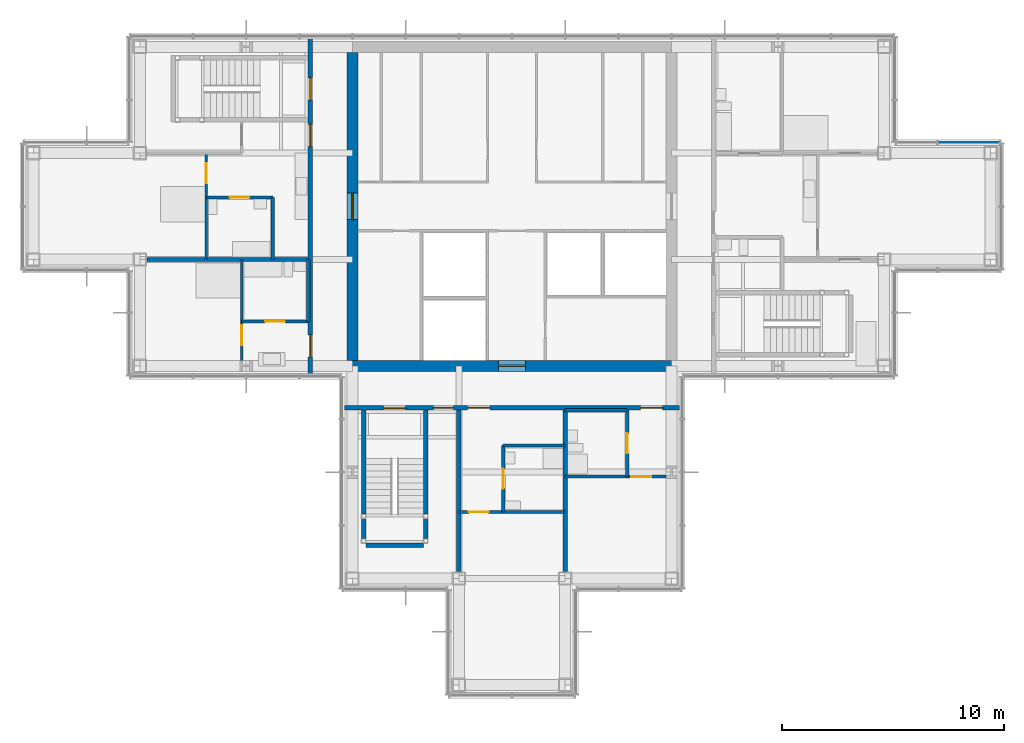
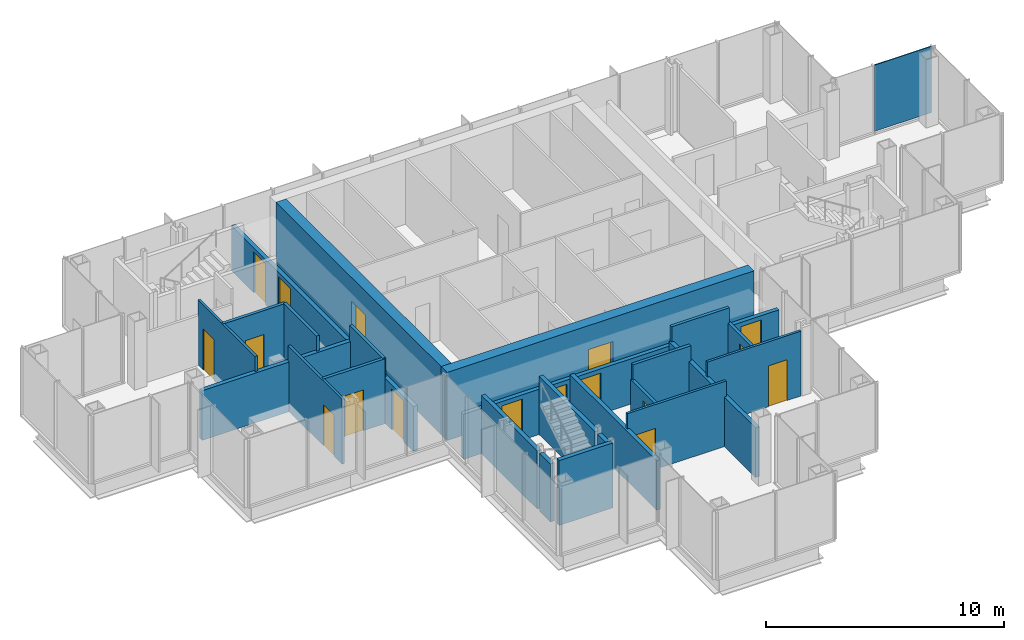
# One storey, part 10 of 15: 24 walls, 17 doors, 1 plate, 17 openings, 1 element without a shape of its own.
"""IFC4 building model written with IfcOpenShell, lengths in metres."""

from ifc_helpers import new_model, si_unit, direction, frame, frame_2d, origin, origin_2d, place, context, subcontext, project, spatial, rectangle, extrude, material, layer, layer_set, type_object, element, fill, aggregate, save


model = new_model("IFC4")

# Units and contexts
model_context = context("Model", 3, precision=1e-05, world=origin(), true_north=direction((0.0, 1.0)))
body_context = subcontext(model_context, "Body", "Model", "MODEL_VIEW")
ifc_project = project(units=[si_unit("LENGTHUNIT", "METRE"), si_unit("AREAUNIT", "SQUARE_METRE"), si_unit("VOLUMEUNIT", "CUBIC_METRE"), si_unit("PLANEANGLEUNIT", "RADIAN"), si_unit("MASSUNIT", "GRAM", prefix="KILO")], contexts=[model_context])

# Site, building, storey
site_placement = place(None, origin())
site = spatial("IfcSite", under=ifc_project, at=site_placement, CompositionType="ELEMENT")
building_placement = place(site_placement, origin())
building = spatial("IfcBuilding", under=site, at=building_placement, Name="Kvirike Care Tower", CompositionType="ELEMENT")
storey_placement = place(building_placement, frame((0.0, 0.0, 205.0)))
storey = spatial("IfcBuildingStorey", under=building, at=storey_placement, Name="L56", CompositionType="ELEMENT", Elevation=205.0)

# Curtain wall, plate
ifc_material_1 = material(Name="Anodised aluminium stick system", Category="aluminium")
curtain_wall_type = type_object("IfcCurtainWallType", Name="CW-D STICK CURTAIN WALL", PredefinedType="NOTDEFINED", material=ifc_material_1)
curtain_wall_placement = place(storey_placement, origin())
curtain_wall = element("IfcCurtainWall", 1, at=curtain_wall_placement, inside=storey, type_object=curtain_wall_type, Name="Curtain wall L56 face 5", PredefinedType="NOTDEFINED")
ifc_material_2 = material(Name="Tinted double glazed unit", Category="glass")
ifc_layer_1 = layer(ifc_material_2, 0.0439453125)
ifc_layer_set_1 = layer_set([ifc_layer_1], Name="TINTED VISION PANEL 44")
plate_type = type_object("IfcPlateType", Name="TINTED VISION PANEL 44", PredefinedType="CURTAIN_PANEL", material=ifc_layer_set_1)
plate_placement = place(storey_placement, frame((42.2236328125, 38.8798828125, 0.10009765625), z_axis=(0.0, 0.0, 1.0), x_axis=(-1.0, 0.0, 0.0)))
plate = element("IfcPlate", 2, at=plate_placement, type_object=plate_type, Name="CW-D panel L56 face 5.1", PredefinedType="CURTAIN_PANEL", context=body_context, shape_type="SweptSolid", body=[
    extrude(rectangle(XDim=2.782470703125, YDim=0.0439453125, at=origin_2d()), origin(), (0.0, 0.0, 1.0), 3.39990234375),
])
aggregate(curtain_wall, [plate])

# Wall, opening, door
ifc_material_3 = material(Name="Moisture-resistant board partition", Category="gypsum")
ifc_layer_2 = layer(ifc_material_3, 0.14990234375)
ifc_layer_set_2 = layer_set([ifc_layer_2], Name="BATHROOM WALL 150")
wall_type_1 = type_object("IfcWallType", Name="BATHROOM WALL 150", PredefinedType="PARTITIONING", material=ifc_layer_set_2)
wall_1_placement = place(storey_placement, frame((7.800048828125, 36.39990234375, 0.0), z_axis=(0.0, 0.0, 1.0), x_axis=(1.0, 0.0, 0.0)))
wall_1 = element("IfcWall", 3, at=wall_1_placement, inside=storey, type_object=wall_type_1, Name="Bathroom Wall 150 L56", PredefinedType="PARTITIONING", context=body_context, shape_type="SweptSolid", body=[
    extrude(rectangle(XDim=3.0, YDim=0.14990234375, at=frame_2d((1.5, 0.0))), origin(), (0.0, 0.0, 1.0), 3.330078125),
])
opening_1_placement = place(wall_1_placement, frame((1.050048828125, 0.0, 0.0)))
opening_1 = element("IfcOpeningElement", 4, at=opening_1_placement, cuts=wall_1, Name="Opening 56-001", PredefinedType="OPENING", context=body_context, shape_type="SweptSolid", body=[
    extrude(rectangle(XDim=0.89990234375, YDim=2.10009765625, at=frame_2d((0.449951171875, 1.050048828125))), frame((0.0, 0.08544921875, 0.0), z_axis=(0.0, -1.0, 0.0), x_axis=(1.0, 0.0, 0.0)), (0.0, 0.0, 1.0), 0.1708984375),
])
ifc_material_4 = material(Name="Timber door set", Category="wood")
door_type_1 = type_object("IfcDoorType", Name="BATHROOM DOOR 900", OperationType="SINGLE_SWING_RIGHT", PredefinedType="DOOR", material=ifc_material_4)
door_1_placement = place(opening_1_placement, frame((0.89990234375, 0.0, 0.0), z_axis=(0.0, 0.0, 1.0), x_axis=(-1.0, 0.0, 0.0)))
door_1 = element("IfcDoor", 5, at=door_1_placement, inside=storey, type_object=door_type_1, Name="Bathroom door", OperationType="SINGLE_SWING_RIGHT", OverallHeight=2.10009765625, OverallWidth=0.89990234375, PredefinedType="DOOR", context=body_context, shape_type="SweptSolid", body=[
    extrude(rectangle(XDim=0.89990234375, YDim=2.10009765625, at=frame_2d((0.449951171875, 1.050048828125))), frame((0.0, 0.02197265625, 0.0), z_axis=(0.0, -1.0, 0.0), x_axis=(1.0, 0.0, 0.0)), (0.0, 0.0, 1.0), 0.0439453125),
])
fill(opening_1, door_1)

# Wall
wall_2_placement = place(storey_placement, frame((10.800048828125, 36.39990234375, 0.0), z_axis=(0.0, 0.0, 1.0), x_axis=(0.0, -1.0, 0.0)))
element("IfcWall", 6, at=wall_2_placement, inside=storey, type_object=wall_type_1, Name="Bathroom Wall 150 L56", PredefinedType="PARTITIONING", context=body_context, shape_type="SweptSolid", body=[
    extrude(rectangle(XDim=2.7998046875, YDim=0.14990234375, at=frame_2d((1.39990234375, 0.0))), origin(), (0.0, 0.0, 1.0), 3.330078125),
])

# Wall, opening, door
wall_3_placement = place(storey_placement, frame((9.39990234375, 30.800048828125, 0.0), z_axis=(0.0, 0.0, 1.0), x_axis=(1.0, 0.0, 0.0)))
wall_3 = element("IfcWall", 7, at=wall_3_placement, inside=storey, type_object=wall_type_1, Name="Bathroom Wall 150 L56", PredefinedType="PARTITIONING", context=body_context, shape_type="SweptSolid", body=[
    extrude(rectangle(XDim=3.0, YDim=0.14990234375, at=frame_2d((1.5, 0.0))), origin(), (0.0, 0.0, 1.0), 3.330078125),
])
opening_2_placement = place(wall_3_placement, frame((1.050048828125, 0.0, 0.0)))
opening_2 = element("IfcOpeningElement", 8, at=opening_2_placement, cuts=wall_3, Name="Opening 56-004", PredefinedType="OPENING", context=body_context, shape_type="SweptSolid", body=[
    extrude(rectangle(XDim=0.89990234375, YDim=2.10009765625, at=frame_2d((0.449951171875, 1.050048828125))), frame((0.0, 0.08544921875, 0.0), z_axis=(0.0, -1.0, 0.0), x_axis=(1.0, 0.0, 0.0)), (0.0, 0.0, 1.0), 0.1708984375),
])
door_2_placement = place(opening_2_placement, frame((0.89990234375, 0.0, 0.0), z_axis=(0.0, 0.0, 1.0), x_axis=(-1.0, 0.0, 0.0)))
door_2 = element("IfcDoor", 9, at=door_2_placement, inside=storey, type_object=door_type_1, Name="Bathroom door", OperationType="SINGLE_SWING_RIGHT", OverallHeight=2.10009765625, OverallWidth=0.89990234375, PredefinedType="DOOR", context=body_context, shape_type="SweptSolid", body=[
    extrude(rectangle(XDim=0.89990234375, YDim=2.10009765625, at=frame_2d((0.449951171875, 1.050048828125))), frame((0.0, 0.02197265625, 0.0), z_axis=(0.0, -1.0, 0.0), x_axis=(1.0, 0.0, 0.0)), (0.0, 0.0, 1.0), 0.0439453125),
])
fill(opening_2, door_2)

# Wall
wall_4_placement = place(storey_placement, frame((12.39990234375, 33.60009765625, 0.0), z_axis=(0.0, 0.0, 1.0), x_axis=(0.0, -1.0, 0.0)))
element("IfcWall", 10, at=wall_4_placement, inside=storey, type_object=wall_type_1, Name="Bathroom Wall 150 L56", PredefinedType="PARTITIONING", context=body_context, shape_type="SweptSolid", body=[
    extrude(rectangle(XDim=2.800048828125, YDim=0.14990234375, at=frame_2d((1.39990234375, 0.0))), origin(), (0.0, 0.0, 1.0), 3.330078125),
])

# Wall, opening, door
wall_5_placement = place(storey_placement, frame((21.199951171875, 22.199951171875, 0.0), z_axis=(0.0, 0.0, 1.0), x_axis=(0.0, 1.0, 0.0)))
wall_5 = element("IfcWall", 11, at=wall_5_placement, inside=storey, type_object=wall_type_1, Name="Bathroom Wall 150 L56", PredefinedType="PARTITIONING", context=body_context, shape_type="SweptSolid", body=[
    extrude(rectangle(XDim=3.0, YDim=0.14990234375, at=frame_2d((1.5, 0.0))), origin(), (0.0, 0.0, 1.0), 2.550048828125),
])
opening_3_placement = place(wall_5_placement, frame((1.050048828125, 0.0, 0.0)))
opening_3 = element("IfcOpeningElement", 12, at=opening_3_placement, cuts=wall_5, Name="Opening 56-009", PredefinedType="OPENING", context=body_context, shape_type="SweptSolid", body=[
    extrude(rectangle(XDim=0.89990234375, YDim=2.10009765625, at=frame_2d((0.449951171875, 1.050048828125))), frame((0.0, 0.08544921875, 0.0), z_axis=(0.0, -1.0, 0.0), x_axis=(1.0, 0.0, 0.0)), (0.0, 0.0, 1.0), 0.1708984375),
])
door_3_placement = place(opening_3_placement, frame((0.89990234375, 0.0, 0.0), z_axis=(0.0, 0.0, 1.0), x_axis=(-1.0, 0.0, 0.0)))
door_3 = element("IfcDoor", 13, at=door_3_placement, inside=storey, type_object=door_type_1, Name="Shower room door", OperationType="SINGLE_SWING_LEFT", OverallHeight=2.10009765625, OverallWidth=0.89990234375, PredefinedType="DOOR", context=body_context, shape_type="SweptSolid", body=[
    extrude(rectangle(XDim=0.89990234375, YDim=2.10009765625, at=frame_2d((0.449951171875, 1.050048828125))), frame((0.0, 0.02197265625, 0.0), z_axis=(0.0, -1.0, 0.0), x_axis=(1.0, 0.0, 0.0)), (0.0, 0.0, 1.0), 0.0439453125),
])
fill(opening_3, door_3)

# Wall
wall_6_placement = place(storey_placement, frame((21.199951171875, 25.199951171875, 0.0), z_axis=(0.0, 0.0, 1.0), x_axis=(1.0, 0.0, 0.0)))
element("IfcWall", 14, at=wall_6_placement, inside=storey, type_object=wall_type_1, Name="Bathroom Wall 150 L56", PredefinedType="PARTITIONING", context=body_context, shape_type="SweptSolid", body=[
    extrude(rectangle(XDim=2.800048828125, YDim=0.14990234375, at=frame_2d((1.39990234375, 0.0))), origin(), (0.0, 0.0, 1.0), 3.330078125),
])

# Wall, opening, door
wall_7_placement = place(storey_placement, frame((26.800048828125, 23.800048828125, 0.0), z_axis=(0.0, 0.0, 1.0), x_axis=(0.0, 1.0, 0.0)))
wall_7 = element("IfcWall", 15, at=wall_7_placement, inside=storey, type_object=wall_type_1, Name="Bathroom Wall 150 L56", PredefinedType="PARTITIONING", context=body_context, shape_type="SweptSolid", body=[
    extrude(rectangle(XDim=3.0, YDim=0.14990234375, at=frame_2d((1.5, 0.0))), origin(), (0.0, 0.0, 1.0), 2.550048828125),
])
opening_4_placement = place(wall_7_placement, frame((1.050048828125, 0.0, 0.0)))
opening_4 = element("IfcOpeningElement", 16, at=opening_4_placement, cuts=wall_7, Name="Opening 56-011", PredefinedType="OPENING", context=body_context, shape_type="SweptSolid", body=[
    extrude(rectangle(XDim=0.89990234375, YDim=2.10009765625, at=frame_2d((0.449951171875, 1.050048828125))), frame((0.0, 0.08544921875, 0.0), z_axis=(0.0, -1.0, 0.0), x_axis=(1.0, 0.0, 0.0)), (0.0, 0.0, 1.0), 0.1708984375),
])
door_4_placement = place(opening_4_placement, frame((0.89990234375, 0.0, 0.0), z_axis=(0.0, 0.0, 1.0), x_axis=(-1.0, 0.0, 0.0)))
door_4 = element("IfcDoor", 17, at=door_4_placement, inside=storey, type_object=door_type_1, Name="Shower room door", OperationType="SINGLE_SWING_RIGHT", OverallHeight=2.10009765625, OverallWidth=0.89990234375, PredefinedType="DOOR", context=body_context, shape_type="SweptSolid", body=[
    extrude(rectangle(XDim=0.89990234375, YDim=2.10009765625, at=frame_2d((0.449951171875, 1.050048828125))), frame((0.0, 0.02197265625, 0.0), z_axis=(0.0, -1.0, 0.0), x_axis=(1.0, 0.0, 0.0)), (0.0, 0.0, 1.0), 0.0439453125),
])
fill(opening_4, door_4)

# Wall
wall_8_placement = place(storey_placement, frame((24.0, 26.800048828125, 0.0), z_axis=(0.0, 0.0, 1.0), x_axis=(1.0, 0.0, 0.0)))
element("IfcWall", 18, at=wall_8_placement, inside=storey, type_object=wall_type_1, Name="Bathroom Wall 150 L56", PredefinedType="PARTITIONING", context=body_context, shape_type="SweptSolid", body=[
    extrude(rectangle(XDim=2.800048828125, YDim=0.14990234375, at=frame_2d((1.39990234375, 0.0))), origin(), (0.0, 0.0, 1.0), 3.330078125),
])

# Wall, opening, door
ifc_material_5 = material(Name="Concrete C40/50", Category="concrete")
ifc_layer_3 = layer(ifc_material_5, 0.5)
ifc_layer_set_3 = layer_set([ifc_layer_3], Name="CORE WALL 500 C40-50")
wall_type_2 = type_object("IfcWallType", Name="CORE WALL 500 C40-50", PredefinedType="SHEAR", material=ifc_layer_set_3)
wall_9_placement = place(storey_placement, frame((14.14990234375, 28.800048828125, -0.169921875), z_axis=(0.0, 0.0, 1.0), x_axis=(1.0, 0.0, 0.0)))
wall_9 = element("IfcWall", 19, at=wall_9_placement, inside=storey, type_object=wall_type_2, Name="Core wall S L56", PredefinedType="SHEAR", context=body_context, shape_type="SweptSolid", body=[
    extrude(rectangle(XDim=14.900146484375, YDim=0.5, at=frame_2d((7.4501953125, 0.0))), origin(), (0.0, 0.0, 1.0), 3.5),
])
opening_5_placement = place(wall_9_placement, frame((6.85009765625, 0.0, 0.169921875)))
opening_5 = element("IfcOpeningElement", 20, at=opening_5_placement, cuts=wall_9, Name="Opening 56-037", PredefinedType="OPENING", context=body_context, shape_type="SweptSolid", body=[
    extrude(rectangle(XDim=1.199951171875, YDim=2.10009765625, at=frame_2d((0.60009765625, 1.050048828125))), frame((0.0, 0.260498046875, 0.0), z_axis=(0.0, -1.0, 0.0), x_axis=(1.0, 0.0, 0.0)), (0.0, 0.0, 1.0), 0.52099609375),
])
ifc_material_6 = material(Name="Timber door set", Category="wood")
door_type_2 = type_object("IfcDoorType", Name="CORE DOOR 1200", OperationType="SINGLE_SWING_LEFT", PredefinedType="DOOR", material=ifc_material_6)
door_5_placement = place(opening_5_placement, origin())
door_5 = element("IfcDoor", 21, at=door_5_placement, inside=storey, type_object=door_type_2, Name="Core door S L56", OperationType="SINGLE_SWING_LEFT", OverallHeight=2.10009765625, OverallWidth=1.199951171875, PredefinedType="DOOR", context=body_context, shape_type="SweptSolid", body=[
    extrude(rectangle(XDim=1.199951171875, YDim=2.10009765625, at=frame_2d((0.60009765625, 1.050048828125))), frame((0.0, 0.02685546875, 0.0), z_axis=(0.0, -1.0, 0.0), x_axis=(1.0, 0.0, 0.0)), (0.0, 0.0, 1.0), 0.053955078125),
])
fill(opening_5, door_5)

wall_10_placement = place(storey_placement, frame((14.39990234375, 42.949951171875, -0.169921875), z_axis=(0.0, 0.0, 1.0), x_axis=(0.0, -1.0, 0.0)))
wall_10 = element("IfcWall", 22, at=wall_10_placement, inside=storey, type_object=wall_type_2, Name="Core wall W L56", PredefinedType="SHEAR", context=body_context, shape_type="SweptSolid", body=[
    extrude(rectangle(XDim=13.89990234375, YDim=0.5, at=frame_2d((6.949951171875, 0.0))), origin(), (0.0, 0.0, 1.0), 3.5),
])
opening_6_placement = place(wall_10_placement, frame((6.35009765625, 0.0, 0.169921875)))
opening_6 = element("IfcOpeningElement", 23, at=opening_6_placement, cuts=wall_10, Name="Opening 56-038", PredefinedType="OPENING", context=body_context, shape_type="SweptSolid", body=[
    extrude(rectangle(XDim=1.199951171875, YDim=2.10009765625, at=frame_2d((0.60009765625, 1.050048828125))), frame((0.0, 0.260498046875, 0.0), z_axis=(0.0, -1.0, 0.0), x_axis=(1.0, 0.0, 0.0)), (0.0, 0.0, 1.0), 0.52099609375),
])
door_6_placement = place(opening_6_placement, origin())
door_6 = element("IfcDoor", 24, at=door_6_placement, inside=storey, type_object=door_type_2, Name="Core door W L56", OperationType="SINGLE_SWING_LEFT", OverallHeight=2.10009765625, OverallWidth=1.199951171875, PredefinedType="DOOR", context=body_context, shape_type="SweptSolid", body=[
    extrude(rectangle(XDim=1.199951171875, YDim=2.10009765625, at=frame_2d((0.60009765625, 1.050048828125))), frame((0.0, 0.02685546875, 0.0), z_axis=(0.0, -1.0, 0.0), x_axis=(1.0, 0.0, 0.0)), (0.0, 0.0, 1.0), 0.053955078125),
])
fill(opening_6, door_6)

# Wall, openings, doors
ifc_material_7 = material(Name="Plasterboard corridor wall", Category="gypsum")
ifc_layer_4 = layer(ifc_material_7, 0.199951171875)
ifc_layer_set_4 = layer_set([ifc_layer_4], Name="CORRIDOR WALL 200")
wall_type_3 = type_object("IfcWallType", Name="CORRIDOR WALL 200", PredefinedType="PARTITIONING", material=ifc_layer_set_4)
wall_11_placement = place(storey_placement, frame((12.5, 43.655029296875, 0.0), z_axis=(0.0, 0.0, 1.0), x_axis=(0.0, -1.0, 0.0)))
wall_11 = element("IfcWall", 25, at=wall_11_placement, inside=storey, type_object=wall_type_3, Name="Corridor Wall 200 L56", PredefinedType="PARTITIONING", context=body_context, shape_type="SweptSolid", body=[
    extrude(rectangle(XDim=15.31005859375, YDim=0.199951171875, at=frame_2d((7.655029296875, 0.0))), origin(), (0.0, 0.0, 1.0), 2.320068359375),
])
opening_7_placement = place(wall_11_placement, frame((1.85498046875, 0.0, 0.0)))
opening_7 = element("IfcOpeningElement", 26, at=opening_7_placement, cuts=wall_11, Name="Opening 56-006", PredefinedType="OPENING", context=body_context, shape_type="SweptSolid", body=[
    extrude(rectangle(XDim=1.0, YDim=2.10009765625, at=frame_2d((0.5, 1.050048828125))), frame((0.0, 0.110595703125, 0.0), z_axis=(0.0, -1.0, 0.0), x_axis=(1.0, 0.0, 0.0)), (0.0, 0.0, 1.0), 0.220947265625),
])
opening_8_placement = place(wall_11_placement, frame((3.955078125, 0.0, 0.0)))
opening_8 = element("IfcOpeningElement", 27, at=opening_8_placement, cuts=wall_11, Name="Opening 56-007", PredefinedType="OPENING", context=body_context, shape_type="SweptSolid", body=[
    extrude(rectangle(XDim=1.0, YDim=2.10009765625, at=frame_2d((0.5, 1.050048828125))), frame((0.0, 0.110595703125, 0.0), z_axis=(0.0, -1.0, 0.0), x_axis=(1.0, 0.0, 0.0)), (0.0, 0.0, 1.0), 0.220947265625),
])
opening_9_placement = place(wall_11_placement, frame((13.455078125, 0.0, 0.0)))
opening_9 = element("IfcOpeningElement", 28, at=opening_9_placement, cuts=wall_11, Name="Opening 56-008", PredefinedType="OPENING", context=body_context, shape_type="SweptSolid", body=[
    extrude(rectangle(XDim=1.0, YDim=2.10009765625, at=frame_2d((0.5, 1.050048828125))), frame((0.0, 0.110595703125, 0.0), z_axis=(0.0, -1.0, 0.0), x_axis=(1.0, 0.0, 0.0)), (0.0, 0.0, 1.0), 0.220947265625),
])
ifc_material_8 = material(Name="Timber door set", Category="wood")
door_type_3 = type_object("IfcDoorType", Name="FLAT ENTRANCE DOOR 1000", OperationType="SINGLE_SWING_LEFT", PredefinedType="DOOR", material=ifc_material_8)
door_7_placement = place(opening_8_placement, frame((1.0, 0.0, 0.0), z_axis=(0.0, 0.0, 1.0), x_axis=(-1.0, 0.0, 0.0)))
door_7 = element("IfcDoor", 29, at=door_7_placement, inside=storey, type_object=door_type_3, Name="One-bedroom apartment entrance", OperationType="SINGLE_SWING_LEFT", OverallHeight=2.10009765625, OverallWidth=1.0, PredefinedType="DOOR", context=body_context, shape_type="SweptSolid", body=[
    extrude(rectangle(XDim=1.0, YDim=2.10009765625, at=frame_2d((0.5, 1.050048828125))), frame((0.0, 0.02685546875, 0.0), z_axis=(0.0, -1.0, 0.0), x_axis=(1.0, 0.0, 0.0)), (0.0, 0.0, 1.0), 0.053955078125),
])
fill(opening_8, door_7)
door_8_placement = place(opening_9_placement, frame((1.0, 0.0, 0.0), z_axis=(0.0, 0.0, 1.0), x_axis=(-1.0, 0.0, 0.0)))
door_8 = element("IfcDoor", 30, at=door_8_placement, inside=storey, type_object=door_type_3, Name="Studio apartment entrance", OperationType="SINGLE_SWING_RIGHT", OverallHeight=2.10009765625, OverallWidth=1.0, PredefinedType="DOOR", context=body_context, shape_type="SweptSolid", body=[
    extrude(rectangle(XDim=1.0, YDim=2.10009765625, at=frame_2d((0.5, 1.050048828125))), frame((0.0, 0.02685546875, 0.0), z_axis=(0.0, -1.0, 0.0), x_axis=(1.0, 0.0, 0.0)), (0.0, 0.0, 1.0), 0.053955078125),
])
fill(opening_9, door_8)
ifc_material_9 = material(Name="Timber door set", Category="wood")
door_type_4 = type_object("IfcDoorType", Name="STAIR DOOR 1000", OperationType="SINGLE_SWING_LEFT", PredefinedType="DOOR", material=ifc_material_9)
door_9_placement = place(opening_7_placement, frame((1.0, 0.0, 0.0), z_axis=(0.0, 0.0, 1.0), x_axis=(-1.0, 0.0, 0.0)))
door_9 = element("IfcDoor", 31, at=door_9_placement, inside=storey, type_object=door_type_4, Name="Stair 1 door", OperationType="SINGLE_SWING_RIGHT", OverallHeight=2.10009765625, OverallWidth=1.0, PredefinedType="DOOR", context=body_context, shape_type="SweptSolid", body=[
    extrude(rectangle(XDim=1.0, YDim=2.10009765625, at=frame_2d((0.5, 1.050048828125))), frame((0.0, 0.031982421875, 0.0), z_axis=(0.0, -1.0, 0.0), x_axis=(1.0, 0.0, 0.0)), (0.0, 0.0, 1.0), 0.06396484375),
])
fill(opening_7, door_9)

wall_12_placement = place(storey_placement, frame((13.945068359375, 26.89990234375, 0.0), z_axis=(0.0, 0.0, 1.0), x_axis=(1.0, 0.0, 0.0)))
wall_12 = element("IfcWall", 32, at=wall_12_placement, inside=storey, type_object=wall_type_3, Name="Corridor Wall 200 L56", PredefinedType="PARTITIONING", context=body_context, shape_type="SweptSolid", body=[
    extrude(rectangle(XDim=15.309814453125, YDim=0.199951171875, at=frame_2d((7.65478515625, 0.0))), origin(), (0.0, 0.0, 1.0), 2.320068359375),
])
opening_10_placement = place(wall_12_placement, frame((1.85498046875, 0.0, 0.0)))
opening_10 = element("IfcOpeningElement", 33, at=opening_10_placement, cuts=wall_12, Name="Opening 56-013", PredefinedType="OPENING", context=body_context, shape_type="SweptSolid", body=[
    extrude(rectangle(XDim=1.0, YDim=2.10009765625, at=frame_2d((0.5, 1.050048828125))), frame((0.0, 0.110595703125, 0.0), z_axis=(0.0, -1.0, 0.0), x_axis=(1.0, 0.0, 0.0)), (0.0, 0.0, 1.0), 0.220947265625),
])
opening_11_placement = place(wall_12_placement, frame((4.10498046875, 0.0, 0.0)))
opening_11 = element("IfcOpeningElement", 34, at=opening_11_placement, cuts=wall_12, Name="Opening 56-014", PredefinedType="OPENING", context=body_context, shape_type="SweptSolid", body=[
    extrude(rectangle(XDim=0.89990234375, YDim=2.10009765625, at=frame_2d((0.449951171875, 1.050048828125))), frame((0.0, 0.110595703125, 0.0), z_axis=(0.0, -1.0, 0.0), x_axis=(1.0, 0.0, 0.0)), (0.0, 0.0, 1.0), 0.220947265625),
])
opening_12_placement = place(wall_12_placement, frame((5.655029296875, 0.0, 0.0)))
opening_12 = element("IfcOpeningElement", 35, at=opening_12_placement, cuts=wall_12, Name="Opening 56-015", PredefinedType="OPENING", context=body_context, shape_type="SweptSolid", body=[
    extrude(rectangle(XDim=1.0, YDim=2.10009765625, at=frame_2d((0.5, 1.050048828125))), frame((0.0, 0.110595703125, 0.0), z_axis=(0.0, -1.0, 0.0), x_axis=(1.0, 0.0, 0.0)), (0.0, 0.0, 1.0), 0.220947265625),
])
opening_13_placement = place(wall_12_placement, frame((13.455078125, 0.0, 0.0)))
opening_13 = element("IfcOpeningElement", 36, at=opening_13_placement, cuts=wall_12, Name="Opening 56-016", PredefinedType="OPENING", context=body_context, shape_type="SweptSolid", body=[
    extrude(rectangle(XDim=1.0, YDim=2.10009765625, at=frame_2d((0.5, 1.050048828125))), frame((0.0, 0.110595703125, 0.0), z_axis=(0.0, -1.0, 0.0), x_axis=(1.0, 0.0, 0.0)), (0.0, 0.0, 1.0), 0.220947265625),
])
door_10_placement = place(opening_12_placement, frame((1.0, 0.0, 0.0), z_axis=(0.0, 0.0, 1.0), x_axis=(-1.0, 0.0, 0.0)))
door_10 = element("IfcDoor", 37, at=door_10_placement, inside=storey, type_object=door_type_3, Name="Family guest room entrance", OperationType="SINGLE_SWING_LEFT", OverallHeight=2.10009765625, OverallWidth=1.0, PredefinedType="DOOR", context=body_context, shape_type="SweptSolid", body=[
    extrude(rectangle(XDim=1.0, YDim=2.10009765625, at=frame_2d((0.5, 1.050048828125))), frame((0.0, 0.02685546875, 0.0), z_axis=(0.0, -1.0, 0.0), x_axis=(1.0, 0.0, 0.0)), (0.0, 0.0, 1.0), 0.053955078125),
])
fill(opening_12, door_10)
door_11_placement = place(opening_13_placement, frame((1.0, 0.0, 0.0), z_axis=(0.0, 0.0, 1.0), x_axis=(-1.0, 0.0, 0.0)))
door_11 = element("IfcDoor", 38, at=door_11_placement, inside=storey, type_object=door_type_3, Name="Family guest room entrance", OperationType="SINGLE_SWING_RIGHT", OverallHeight=2.10009765625, OverallWidth=1.0, PredefinedType="DOOR", context=body_context, shape_type="SweptSolid", body=[
    extrude(rectangle(XDim=1.0, YDim=2.10009765625, at=frame_2d((0.5, 1.050048828125))), frame((0.0, 0.02685546875, 0.0), z_axis=(0.0, -1.0, 0.0), x_axis=(1.0, 0.0, 0.0)), (0.0, 0.0, 1.0), 0.053955078125),
])
fill(opening_13, door_11)
door_12_placement = place(opening_10_placement, frame((1.0, 0.0, 0.0), z_axis=(0.0, 0.0, 1.0), x_axis=(-1.0, 0.0, 0.0)))
door_12 = element("IfcDoor", 39, at=door_12_placement, inside=storey, type_object=door_type_4, Name="Stair 5 door", OperationType="SINGLE_SWING_RIGHT", OverallHeight=2.10009765625, OverallWidth=1.0, PredefinedType="DOOR", context=body_context, shape_type="SweptSolid", body=[
    extrude(rectangle(XDim=1.0, YDim=2.10009765625, at=frame_2d((0.5, 1.050048828125))), frame((0.0, 0.031982421875, 0.0), z_axis=(0.0, -1.0, 0.0), x_axis=(1.0, 0.0, 0.0)), (0.0, 0.0, 1.0), 0.06396484375),
])
fill(opening_10, door_12)
ifc_material_10 = material(Name="Timber door set", Category="wood")
door_type_5 = type_object("IfcDoorType", Name="STORE DOOR 900", OperationType="SINGLE_SWING_LEFT", PredefinedType="DOOR", material=ifc_material_10)
door_13_placement = place(opening_11_placement, frame((0.89990234375, 0.0, 0.0), z_axis=(0.0, 0.0, 1.0), x_axis=(-1.0, 0.0, 0.0)))
door_13 = element("IfcDoor", 40, at=door_13_placement, inside=storey, type_object=door_type_5, Name="Housekeeping room door", OperationType="SINGLE_SWING_RIGHT", OverallHeight=2.10009765625, OverallWidth=0.89990234375, PredefinedType="DOOR", context=body_context, shape_type="SweptSolid", body=[
    extrude(rectangle(XDim=0.89990234375, YDim=2.10009765625, at=frame_2d((0.449951171875, 1.050048828125))), frame((0.0, 0.02685546875, 0.0), z_axis=(0.0, -1.0, 0.0), x_axis=(1.0, 0.0, 0.0)), (0.0, 0.0, 1.0), 0.053955078125),
])
fill(opening_11, door_13)

# Wall, opening, door
ifc_material_11 = material(Name="Plasterboard partition", Category="gypsum")
ifc_layer_5 = layer(ifc_material_11, 0.1201171875)
ifc_layer_set_5 = layer_set([ifc_layer_5], Name="PARTITION 120")
wall_type_4 = type_object("IfcWallType", Name="PARTITION 120", PredefinedType="PARTITIONING", material=ifc_layer_set_5)
wall_13_placement = place(storey_placement, frame((7.800048828125, 38.39990234375, 0.0), z_axis=(0.0, 0.0, 1.0), x_axis=(0.0, -1.0, 0.0)))
wall_13 = element("IfcWall", 41, at=wall_13_placement, inside=storey, type_object=wall_type_4, Name="Partition 120 L56", PredefinedType="PARTITIONING", context=body_context, shape_type="SweptSolid", body=[
    extrude(rectangle(XDim=4.7998046875, YDim=0.1201171875, at=frame_2d((2.39990234375, 0.0))), origin(), (0.0, 0.0, 1.0), 3.330078125),
])
opening_14_placement = place(wall_13_placement, frame((0.449951171875, 0.0, 0.0)))
opening_14 = element("IfcOpeningElement", 42, at=opening_14_placement, cuts=wall_13, Name="Opening 56-003", PredefinedType="OPENING", context=body_context, shape_type="SweptSolid", body=[
    extrude(rectangle(XDim=0.89990234375, YDim=2.10009765625, at=frame_2d((0.449951171875, 1.050048828125))), frame((0.0, 0.070556640625, 0.0), z_axis=(0.0, -1.0, 0.0), x_axis=(1.0, 0.0, 0.0)), (0.0, 0.0, 1.0), 0.14111328125),
])
ifc_material_12 = material(Name="Timber door set", Category="wood")
door_type_6 = type_object("IfcDoorType", Name="INTERNAL DOOR 900", OperationType="SINGLE_SWING_LEFT", PredefinedType="DOOR", material=ifc_material_12)
door_14_placement = place(opening_14_placement, origin())
door_14 = element("IfcDoor", 43, at=door_14_placement, inside=storey, type_object=door_type_6, Name="Apartment bedroom door", OperationType="SINGLE_SWING_RIGHT", OverallHeight=2.10009765625, OverallWidth=0.89990234375, PredefinedType="DOOR", context=body_context, shape_type="SweptSolid", body=[
    extrude(rectangle(XDim=0.89990234375, YDim=2.10009765625, at=frame_2d((0.449951171875, 1.050048828125))), frame((0.0, 0.02197265625, 0.0), z_axis=(0.0, -1.0, 0.0), x_axis=(1.0, 0.0, 0.0)), (0.0, 0.0, 1.0), 0.0439453125),
])
fill(opening_14, door_14)

wall_14_placement = place(storey_placement, frame((9.39990234375, 33.60009765625, 0.0), z_axis=(0.0, 0.0, 1.0), x_axis=(0.0, -1.0, 0.0)))
wall_14 = element("IfcWall", 44, at=wall_14_placement, inside=storey, type_object=wall_type_4, Name="Partition 120 L56", PredefinedType="PARTITIONING", context=body_context, shape_type="SweptSolid", body=[
    extrude(rectangle(XDim=4.552978515625, YDim=0.1201171875, at=frame_2d((2.2763671875, 0.0))), origin(), (0.0, 0.0, 1.0), 3.330078125),
])
opening_15_placement = place(wall_14_placement, frame((2.97509765625, 0.0, 0.0)))
opening_15 = element("IfcOpeningElement", 45, at=opening_15_placement, cuts=wall_14, Name="Opening 56-005", PredefinedType="OPENING", context=body_context, shape_type="SweptSolid", body=[
    extrude(rectangle(XDim=0.89990234375, YDim=2.10009765625, at=frame_2d((0.449951171875, 1.050048828125))), frame((0.0, 0.070556640625, 0.0), z_axis=(0.0, -1.0, 0.0), x_axis=(1.0, 0.0, 0.0)), (0.0, 0.0, 1.0), 0.14111328125),
])
door_15_placement = place(opening_15_placement, origin())
door_15 = element("IfcDoor", 46, at=door_15_placement, inside=storey, type_object=door_type_6, Name="Studio apartment living room door", OperationType="SINGLE_SWING_RIGHT", OverallHeight=2.10009765625, OverallWidth=0.89990234375, PredefinedType="DOOR", context=body_context, shape_type="SweptSolid", body=[
    extrude(rectangle(XDim=0.89990234375, YDim=2.10009765625, at=frame_2d((0.449951171875, 1.050048828125))), frame((0.0, 0.02197265625, 0.0), z_axis=(0.0, -1.0, 0.0), x_axis=(1.0, 0.0, 0.0)), (0.0, 0.0, 1.0), 0.0439453125),
])
fill(opening_15, door_15)

wall_15_placement = place(storey_placement, frame((19.199951171875, 22.199951171875, 0.0), z_axis=(0.0, 0.0, 1.0), x_axis=(1.0, 0.0, 0.0)))
wall_15 = element("IfcWall", 47, at=wall_15_placement, inside=storey, type_object=wall_type_4, Name="Partition 120 L56", PredefinedType="PARTITIONING", context=body_context, shape_type="SweptSolid", body=[
    extrude(rectangle(XDim=4.800048828125, YDim=0.1201171875, at=frame_2d((2.39990234375, 0.0))), origin(), (0.0, 0.0, 1.0), 3.330078125),
])
opening_16_placement = place(wall_15_placement, frame((0.449951171875, 0.0, 0.0)))
opening_16 = element("IfcOpeningElement", 48, at=opening_16_placement, cuts=wall_15, Name="Opening 56-010", PredefinedType="OPENING", context=body_context, shape_type="SweptSolid", body=[
    extrude(rectangle(XDim=0.89990234375, YDim=2.10009765625, at=frame_2d((0.449951171875, 1.050048828125))), frame((0.0, 0.070556640625, 0.0), z_axis=(0.0, -1.0, 0.0), x_axis=(1.0, 0.0, 0.0)), (0.0, 0.0, 1.0), 0.14111328125),
])
door_16_placement = place(opening_16_placement, origin())
door_16 = element("IfcDoor", 49, at=door_16_placement, inside=storey, type_object=door_type_6, Name="Family guest room door", OperationType="SINGLE_SWING_RIGHT", OverallHeight=2.10009765625, OverallWidth=0.89990234375, PredefinedType="DOOR", context=body_context, shape_type="SweptSolid", body=[
    extrude(rectangle(XDim=0.89990234375, YDim=2.10009765625, at=frame_2d((0.449951171875, 1.050048828125))), frame((0.0, 0.02197265625, 0.0), z_axis=(0.0, -1.0, 0.0), x_axis=(1.0, 0.0, 0.0)), (0.0, 0.0, 1.0), 0.0439453125),
])
fill(opening_16, door_16)

wall_16_placement = place(storey_placement, frame((24.0, 23.800048828125, 0.0), z_axis=(0.0, 0.0, 1.0), x_axis=(1.0, 0.0, 0.0)))
wall_16 = element("IfcWall", 50, at=wall_16_placement, inside=storey, type_object=wall_type_4, Name="Partition 120 L56", PredefinedType="PARTITIONING", context=body_context, shape_type="SweptSolid", body=[
    extrude(rectangle(XDim=4.552978515625, YDim=0.1201171875, at=frame_2d((2.2763671875, 0.0))), origin(), (0.0, 0.0, 1.0), 3.330078125),
])
opening_17_placement = place(wall_16_placement, frame((2.97509765625, 0.0, 0.0)))
opening_17 = element("IfcOpeningElement", 51, at=opening_17_placement, cuts=wall_16, Name="Opening 56-012", PredefinedType="OPENING", context=body_context, shape_type="SweptSolid", body=[
    extrude(rectangle(XDim=0.89990234375, YDim=2.10009765625, at=frame_2d((0.449951171875, 1.050048828125))), frame((0.0, 0.070556640625, 0.0), z_axis=(0.0, -1.0, 0.0), x_axis=(1.0, 0.0, 0.0)), (0.0, 0.0, 1.0), 0.14111328125),
])
door_17_placement = place(opening_17_placement, origin())
door_17 = element("IfcDoor", 52, at=door_17_placement, inside=storey, type_object=door_type_6, Name="Family guest room door", OperationType="SINGLE_SWING_RIGHT", OverallHeight=2.10009765625, OverallWidth=0.89990234375, PredefinedType="DOOR", context=body_context, shape_type="SweptSolid", body=[
    extrude(rectangle(XDim=0.89990234375, YDim=2.10009765625, at=frame_2d((0.449951171875, 1.050048828125))), frame((0.0, 0.02197265625, 0.0), z_axis=(0.0, -1.0, 0.0), x_axis=(1.0, 0.0, 0.0)), (0.0, 0.0, 1.0), 0.0439453125),
])
fill(opening_17, door_17)

# Walls
ifc_material_13 = material(Name="Plasterboard party wall", Category="gypsum")
ifc_layer_6 = layer(ifc_material_13, 0.199951171875)
ifc_layer_set_6 = layer_set([ifc_layer_6], Name="PARTY WALL 200")
wall_type_5 = type_object("IfcWallType", Name="PARTY WALL 200", PredefinedType="PARTITIONING", material=ifc_layer_set_6)
wall_17_placement = place(storey_placement, frame((5.1201171875, 33.60009765625, 0.0), z_axis=(0.0, 0.0, 1.0), x_axis=(1.0, 0.0, 0.0)))
element("IfcWall", 53, at=wall_17_placement, inside=storey, type_object=wall_type_5, Name="Party Wall 200 L56", PredefinedType="PARTITIONING", context=body_context, shape_type="SweptSolid", body=[
    extrude(rectangle(XDim=7.27978515625, YDim=0.199951171875, at=frame_2d((3.639892578125, 0.0))), origin(), (0.0, 0.0, 1.0), 2.550048828125),
])
for number, where, z_axis, x_axis, name in (
    (54, (19.199951171875, 19.52001953125, 0.0), (0.0, 0.0, 1.0), (0.0, 1.0, 0.0), "Party Wall 200 L56"),
    (55, (24.0, 19.52001953125, 0.0), (0.0, 0.0, 1.0), (0.0, 1.0, 0.0), "Party Wall 200 L56"),
):
    element("IfcWall", number, at=place(storey_placement, frame(where, z_axis=z_axis, x_axis=x_axis)), inside=storey, type_object=wall_type_5, Name=name, PredefinedType="PARTITIONING", context=body_context, shape_type="SweptSolid", body=[
        extrude(rectangle(XDim=7.280029296875, YDim=0.199951171875, at=frame_2d((3.64013671875, 0.0))), origin(), (0.0, 0.0, 1.0), 2.550048828125),
    ])
ifc_material_14 = material(Name="Concrete C40/50", Category="concrete")
ifc_layer_7 = layer(ifc_material_14, 0.199951171875)
ifc_layer_set_7 = layer_set([ifc_layer_7], Name="STAIR WALL 200")
wall_type_6 = type_object("IfcWallType", Name="STAIR WALL 200", PredefinedType="SOLIDWALL", material=ifc_layer_set_7)
wall_18_placement = place(storey_placement, frame((14.89990234375, 21.0, 0.0), z_axis=(0.0, 0.0, 1.0), x_axis=(0.0, 1.0, 0.0)))
element("IfcWall", 56, at=wall_18_placement, inside=storey, type_object=wall_type_6, Name="Stair Wall 200 L56", PredefinedType="SOLIDWALL", context=body_context, shape_type="SweptSolid", body=[
    extrude(rectangle(XDim=0.89990234375, YDim=0.199951171875, at=frame_2d((0.449951171875, 0.0))), origin(), (0.0, 0.0, 1.0), 2.989990234375),
])
wall_19_placement = place(storey_placement, frame((14.89990234375, 22.10009765625, 0.0), z_axis=(0.0, 0.0, 1.0), x_axis=(0.0, 1.0, 0.0)))
element("IfcWall", 57, at=wall_19_placement, inside=storey, type_object=wall_type_6, Name="Stair Wall 200 L56", PredefinedType="SOLIDWALL", context=body_context, shape_type="SweptSolid", body=[
    extrude(rectangle(XDim=4.699951171875, YDim=0.199951171875, at=frame_2d((2.35009765625, 0.0))), origin(), (0.0, 0.0, 1.0), 2.989990234375),
])
wall_20_placement = place(storey_placement, frame((17.699951171875, 21.0, 0.0), z_axis=(0.0, 0.0, 1.0), x_axis=(0.0, 1.0, 0.0)))
element("IfcWall", 58, at=wall_20_placement, inside=storey, type_object=wall_type_6, Name="Stair Wall 200 L56", PredefinedType="SOLIDWALL", context=body_context, shape_type="SweptSolid", body=[
    extrude(rectangle(XDim=0.89990234375, YDim=0.199951171875, at=frame_2d((0.449951171875, 0.0))), origin(), (0.0, 0.0, 1.0), 2.989990234375),
])
wall_21_placement = place(storey_placement, frame((17.699951171875, 22.10009765625, 0.0), z_axis=(0.0, 0.0, 1.0), x_axis=(0.0, 1.0, 0.0)))
element("IfcWall", 59, at=wall_21_placement, inside=storey, type_object=wall_type_6, Name="Stair Wall 200 L56", PredefinedType="SOLIDWALL", context=body_context, shape_type="SweptSolid", body=[
    extrude(rectangle(XDim=4.699951171875, YDim=0.199951171875, at=frame_2d((2.35009765625, 0.0))), origin(), (0.0, 0.0, 1.0), 2.989990234375),
])
wall_22_placement = place(storey_placement, frame((15.0, 20.699951171875, 0.0), z_axis=(0.0, 0.0, 1.0), x_axis=(1.0, 0.0, 0.0)))
element("IfcWall", 60, at=wall_22_placement, inside=storey, type_object=wall_type_6, Name="Stair Wall 200 L56", PredefinedType="SOLIDWALL", context=body_context, shape_type="SweptSolid", body=[
    extrude(rectangle(XDim=2.60009765625, YDim=0.199951171875, at=frame_2d((1.300048828125, 0.0))), origin(), (0.0, 0.0, 1.0), 3.330078125),
])

save(model, "model.ifc")
